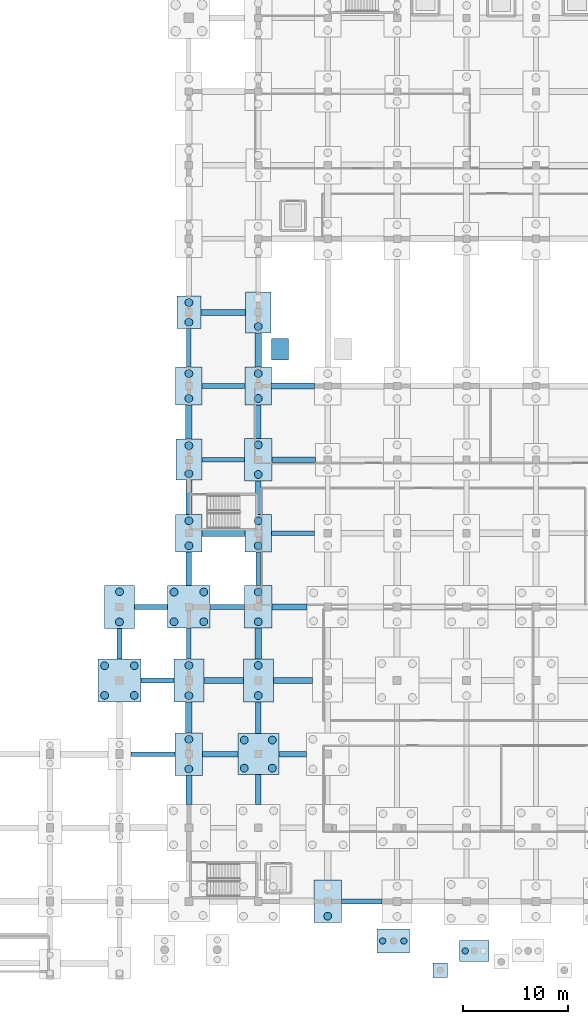
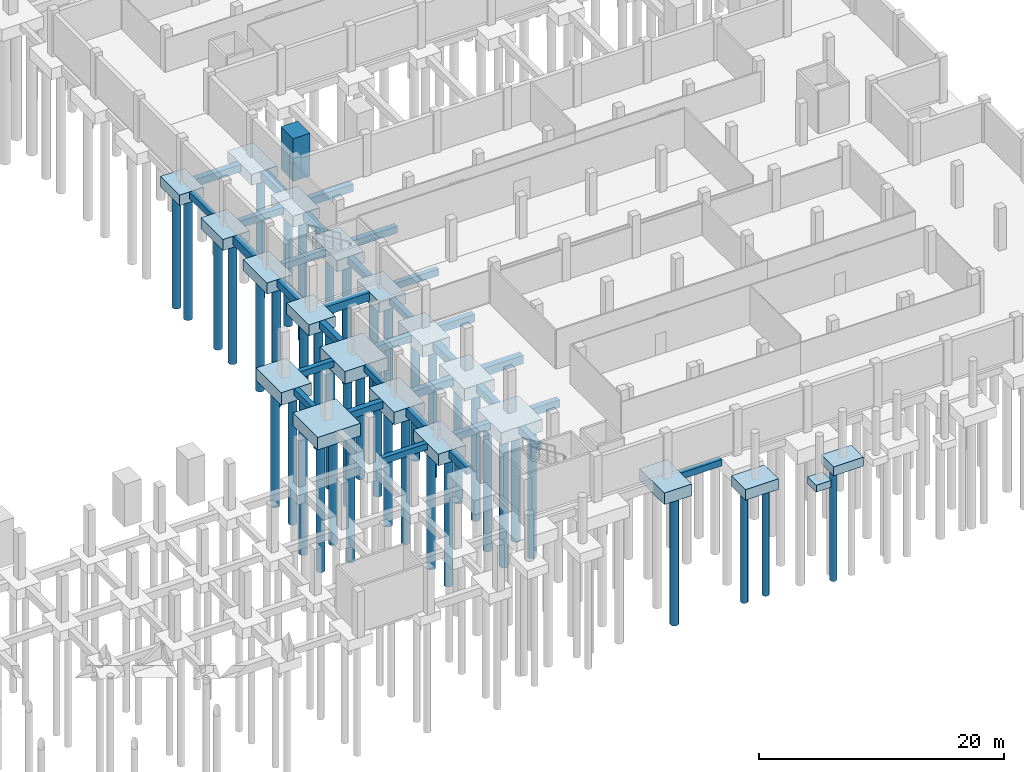
# One storey, part 3 of 27: 53 footings, 41 piles.
"""IFC4 building model written with IfcOpenShell, lengths in metres."""

from ifc_helpers import new_model, si_unit, direction, frame, origin, origin_2d, place, context, subcontext, project, spatial, rectangle, circle, extrude, material, material_profile, profile_set, type_object, element, save


model = new_model("IFC4")

# Units and contexts
model_context = context("Model", 3, precision=1e-05, world=origin(), true_north=direction((0.0, 1.0)))
body_context = subcontext(model_context, "Body", "Model", "MODEL_VIEW")
ifc_project = project(units=[si_unit("LENGTHUNIT", "METRE"), si_unit("AREAUNIT", "SQUARE_METRE"), si_unit("VOLUMEUNIT", "CUBIC_METRE"), si_unit("PLANEANGLEUNIT", "RADIAN"), si_unit("MASSUNIT", "GRAM", prefix="KILO")], contexts=[model_context])

# Site, building, storey
site_placement = place(None, origin())
site = spatial("IfcSite", under=ifc_project, at=site_placement, CompositionType="ELEMENT")
building_placement = place(site_placement, origin())
building = spatial("IfcBuilding", under=site, at=building_placement, Name="Ciguamira Faculty of Natural Sciences", CompositionType="ELEMENT")
storey_placement = place(building_placement, frame((0.0, 0.0, -4.199951171875)))
storey = spatial("IfcBuildingStorey", under=building, at=storey_placement, Name="B1", CompositionType="ELEMENT", Elevation=-4.199951171875)

# Piles
ifc_material = material(Name="Concrete C35/45", Category="concrete")
ifc_material_profile_1 = material_profile(ifc_material, circle(Radius=0.300048828125, at=origin_2d()), Name="PILE-BORED-600")
ifc_profile_set_1 = profile_set([ifc_material_profile_1], Name="Concrete C35/45")
pile_type_1 = type_object("IfcPileType", Name="BoredPile_BP-01_600", PredefinedType="BORED", material=ifc_profile_set_1)
for number, where, z_axis, x_axis, name in (
    (1, (75.723388671875, 6.236572265625, -1.35009765625), (0.0, 0.0, -1.0), (1.0, 0.0, 0.0), "B1 bored pile 218-1"),
    (2, (77.743408203125, 6.236572265625, -1.35009765625), (0.0, 0.0, -1.0), (1.0, 0.0, 0.0), "B1 bored pile 218-2"),
):
    element("IfcPile", number, at=place(storey_placement, frame(where, z_axis=z_axis, x_axis=x_axis)), inside=storey, type_object=pile_type_1, Name=name, PredefinedType="BORED", context=body_context, shape_type="SweptSolid", body=[
        extrude(circle(Radius=0.300048828125, at=origin_2d()), origin(), (0.0, 0.0, 1.0), 11.050048828125),
    ])
pile_1_placement = place(storey_placement, frame((83.5732421875, 5.291259765625, -1.199951171875), z_axis=(0.0, 0.0, -1.0), x_axis=(1.0, 0.0, 0.0)))
element("IfcPile", 3, at=pile_1_placement, inside=storey, type_object=pile_type_1, Name="B1 bored pile 219-1", PredefinedType="BORED", context=body_context, shape_type="SweptSolid", body=[
    extrude(circle(Radius=0.300048828125, at=origin_2d()), origin(), (0.0, 0.0, 1.0), 11.199951171875),
])
ifc_material_profile_2 = material_profile(ifc_material, circle(Radius=0.375, at=origin_2d()), Name="PILE-BORED-750")
ifc_profile_set_2 = profile_set([ifc_material_profile_2], Name="Concrete C35/45")
pile_type_2 = type_object("IfcPileType", Name="BoredPile_BP-02_750", PredefinedType="BORED", material=ifc_profile_set_2)
for number, where, z_axis, x_axis, name in (
    (4, (49.2900390625, 29.590087890625, -1.550048828125), (0.0, 0.0, -1.0), (1.0, 0.0, 0.0), "B1 bored pile 032-1"),
    (5, (52.110107421875, 29.590087890625, -1.550048828125), (0.0, 0.0, -1.0), (1.0, 0.0, 0.0), "B1 bored pile 032-2"),
    (6, (49.2900390625, 32.409912109375, -1.550048828125), (0.0, 0.0, -1.0), (1.0, 0.0, 0.0), "B1 bored pile 032-3"),
    (7, (52.110107421875, 32.409912109375, -1.550048828125), (0.0, 0.0, -1.0), (1.0, 0.0, 0.0), "B1 bored pile 032-4"),
    (8, (50.699951171875, 36.56494140625, -1.550048828125), (0.0, 0.0, -1.0), (1.0, 0.0, 0.0), "B1 bored pile 033-1"),
    (9, (50.699951171875, 39.43505859375, -1.550048828125), (0.0, 0.0, -1.0), (1.0, 0.0, 0.0), "B1 bored pile 033-2"),
):
    element("IfcPile", number, at=place(storey_placement, frame(where, z_axis=z_axis, x_axis=x_axis)), inside=storey, type_object=pile_type_2, Name=name, PredefinedType="BORED", context=body_context, shape_type="SweptSolid", body=[
        extrude(circle(Radius=0.375, at=origin_2d()), origin(), (0.0, 0.0, 1.0), 12.64990234375),
    ])
for number, where, z_axis, x_axis, name in (
    (10, (57.300048828125, 22.590087890625, -1.449951171875), (0.0, 0.0, -1.0), (1.0, 0.0, 0.0), "B1 bored pile 036-1"),
    (11, (57.300048828125, 25.409912109375, -1.449951171875), (0.0, 0.0, -1.0), (1.0, 0.0, 0.0), "B1 bored pile 036-2"),
):
    element("IfcPile", number, at=place(storey_placement, frame(where, z_axis=z_axis, x_axis=x_axis)), inside=storey, type_object=pile_type_2, Name=name, PredefinedType="BORED", context=body_context, shape_type="SweptSolid", body=[
        extrude(circle(Radius=0.375, at=origin_2d()), origin(), (0.0, 0.0, 1.0), 12.75),
    ])
for number, where, z_axis, x_axis, name in (
    (12, (57.300048828125, 29.56494140625, -1.550048828125), (0.0, 0.0, -1.0), (1.0, 0.0, 0.0), "B1 bored pile 037-1"),
    (13, (57.300048828125, 32.43505859375, -1.550048828125), (0.0, 0.0, -1.0), (1.0, 0.0, 0.0), "B1 bored pile 037-2"),
    (14, (55.889892578125, 36.590087890625, -1.550048828125), (0.0, 0.0, -1.0), (1.0, 0.0, 0.0), "B1 bored pile 038-1"),
    (15, (58.7099609375, 36.590087890625, -1.550048828125), (0.0, 0.0, -1.0), (1.0, 0.0, 0.0), "B1 bored pile 038-2"),
    (16, (55.889892578125, 39.409912109375, -1.550048828125), (0.0, 0.0, -1.0), (1.0, 0.0, 0.0), "B1 bored pile 038-3"),
    (17, (58.7099609375, 39.409912109375, -1.550048828125), (0.0, 0.0, -1.0), (1.0, 0.0, 0.0), "B1 bored pile 038-4"),
):
    element("IfcPile", number, at=place(storey_placement, frame(where, z_axis=z_axis, x_axis=x_axis)), inside=storey, type_object=pile_type_2, Name=name, PredefinedType="BORED", context=body_context, shape_type="SweptSolid", body=[
        extrude(circle(Radius=0.375, at=origin_2d()), origin(), (0.0, 0.0, 1.0), 12.64990234375),
    ])
for number, where, z_axis, x_axis, name in (
    (18, (57.300048828125, 43.81494140625, -1.400146484375), (0.0, 0.0, -1.0), (1.0, 0.0, 0.0), "B1 bored pile 039-1"),
    (19, (57.300048828125, 46.18505859375, -1.400146484375), (0.0, 0.0, -1.0), (1.0, 0.0, 0.0), "B1 bored pile 039-2"),
    (20, (57.300048828125, 50.6650390625, -1.400146484375), (0.0, 0.0, -1.0), (1.0, 0.0, 0.0), "B1 bored pile 040-1"),
    (21, (57.300048828125, 53.3349609375, -1.400146484375), (0.0, 0.0, -1.0), (1.0, 0.0, 0.0), "B1 bored pile 040-2"),
    (22, (57.300048828125, 57.81494140625, -1.400146484375), (0.0, 0.0, -1.0), (1.0, 0.0, 0.0), "B1 bored pile 041-1"),
    (23, (57.300048828125, 60.18505859375, -1.400146484375), (0.0, 0.0, -1.0), (1.0, 0.0, 0.0), "B1 bored pile 041-2"),
):
    element("IfcPile", number, at=place(storey_placement, frame(where, z_axis=z_axis, x_axis=x_axis)), inside=storey, type_object=pile_type_2, Name=name, PredefinedType="BORED", context=body_context, shape_type="SweptSolid", body=[
        extrude(circle(Radius=0.375, at=origin_2d()), origin(), (0.0, 0.0, 1.0), 12.0),
    ])
for number, where, z_axis, x_axis, name in (
    (24, (57.300048828125, 65.06494140625, -1.35009765625), (0.0, 0.0, -1.0), (1.0, 0.0, 0.0), "B1 bored pile 042-1"),
    (25, (57.300048828125, 66.93505859375, -1.35009765625), (0.0, 0.0, -1.0), (1.0, 0.0, 0.0), "B1 bored pile 042-2"),
):
    element("IfcPile", number, at=place(storey_placement, frame(where, z_axis=z_axis, x_axis=x_axis)), inside=storey, type_object=pile_type_2, Name=name, PredefinedType="BORED", context=body_context, shape_type="SweptSolid", body=[
        extrude(circle(Radius=0.375, at=origin_2d()), origin(), (0.0, 0.0, 1.0), 12.050048828125),
    ])
for number, where, z_axis, x_axis, name in (
    (26, (62.56494140625, 22.6650390625, -1.5), (0.0, 0.0, -1.0), (1.0, 0.0, 0.0), "B1 bored pile 052-1"),
    (27, (65.235107421875, 22.6650390625, -1.5), (0.0, 0.0, -1.0), (1.0, 0.0, 0.0), "B1 bored pile 052-2"),
    (28, (62.56494140625, 25.3349609375, -1.5), (0.0, 0.0, -1.0), (1.0, 0.0, 0.0), "B1 bored pile 052-3"),
    (29, (65.235107421875, 25.3349609375, -1.5), (0.0, 0.0, -1.0), (1.0, 0.0, 0.0), "B1 bored pile 052-4"),
):
    element("IfcPile", number, at=place(storey_placement, frame(where, z_axis=z_axis, x_axis=x_axis)), inside=storey, type_object=pile_type_2, Name=name, PredefinedType="BORED", context=body_context, shape_type="SweptSolid", body=[
        extrude(circle(Radius=0.375, at=origin_2d()), origin(), (0.0, 0.0, 1.0), 12.699951171875),
    ])
for number, where, z_axis, x_axis, name in (
    (30, (63.89990234375, 29.56494140625, -1.550048828125), (0.0, 0.0, -1.0), (1.0, 0.0, 0.0), "B1 bored pile 053-1"),
    (31, (63.89990234375, 32.43505859375, -1.550048828125), (0.0, 0.0, -1.0), (1.0, 0.0, 0.0), "B1 bored pile 053-2"),
):
    element("IfcPile", number, at=place(storey_placement, frame(where, z_axis=z_axis, x_axis=x_axis)), inside=storey, type_object=pile_type_2, Name=name, PredefinedType="BORED", context=body_context, shape_type="SweptSolid", body=[
        extrude(circle(Radius=0.375, at=origin_2d()), origin(), (0.0, 0.0, 1.0), 12.64990234375),
    ])
for number, where, z_axis, x_axis, name in (
    (32, (63.89990234375, 36.590087890625, -1.449951171875), (0.0, 0.0, -1.0), (1.0, 0.0, 0.0), "B1 bored pile 054-1"),
    (33, (63.89990234375, 39.409912109375, -1.449951171875), (0.0, 0.0, -1.0), (1.0, 0.0, 0.0), "B1 bored pile 054-2"),
):
    element("IfcPile", number, at=place(storey_placement, frame(where, z_axis=z_axis, x_axis=x_axis)), inside=storey, type_object=pile_type_2, Name=name, PredefinedType="BORED", context=body_context, shape_type="SweptSolid", body=[
        extrude(circle(Radius=0.375, at=origin_2d()), origin(), (0.0, 0.0, 1.0), 12.75),
    ])
for number, where, z_axis, x_axis, name in (
    (34, (63.89990234375, 43.81494140625, -1.400146484375), (0.0, 0.0, -1.0), (1.0, 0.0, 0.0), "B1 bored pile 055-1"),
    (35, (63.89990234375, 46.18505859375, -1.400146484375), (0.0, 0.0, -1.0), (1.0, 0.0, 0.0), "B1 bored pile 055-2"),
):
    element("IfcPile", number, at=place(storey_placement, frame(where, z_axis=z_axis, x_axis=x_axis)), inside=storey, type_object=pile_type_2, Name=name, PredefinedType="BORED", context=body_context, shape_type="SweptSolid", body=[
        extrude(circle(Radius=0.375, at=origin_2d()), origin(), (0.0, 0.0, 1.0), 12.0),
    ])
for number, where, z_axis, x_axis, name in (
    (36, (63.89990234375, 50.590087890625, -1.449951171875), (0.0, 0.0, -1.0), (1.0, 0.0, 0.0), "B1 bored pile 056-1"),
    (37, (63.89990234375, 53.409912109375, -1.449951171875), (0.0, 0.0, -1.0), (1.0, 0.0, 0.0), "B1 bored pile 056-2"),
):
    element("IfcPile", number, at=place(storey_placement, frame(where, z_axis=z_axis, x_axis=x_axis)), inside=storey, type_object=pile_type_2, Name=name, PredefinedType="BORED", context=body_context, shape_type="SweptSolid", body=[
        extrude(circle(Radius=0.375, at=origin_2d()), origin(), (0.0, 0.0, 1.0), 11.949951171875),
    ])
for number, where, z_axis, x_axis, name in (
    (38, (63.89990234375, 57.81494140625, -1.400146484375), (0.0, 0.0, -1.0), (1.0, 0.0, 0.0), "B1 bored pile 057-1"),
    (39, (63.89990234375, 60.18505859375, -1.400146484375), (0.0, 0.0, -1.0), (1.0, 0.0, 0.0), "B1 bored pile 057-2"),
    (40, (63.89990234375, 64.6650390625, -1.400146484375), (0.0, 0.0, -1.0), (1.0, 0.0, 0.0), "B1 bored pile 058-1"),
):
    element("IfcPile", number, at=place(storey_placement, frame(where, z_axis=z_axis, x_axis=x_axis)), inside=storey, type_object=pile_type_2, Name=name, PredefinedType="BORED", context=body_context, shape_type="SweptSolid", body=[
        extrude(circle(Radius=0.375, at=origin_2d()), origin(), (0.0, 0.0, 1.0), 12.0),
    ])
pile_2_placement = place(storey_placement, frame((70.5, 8.590087890625, -1.449951171875), z_axis=(0.0, 0.0, -1.0), x_axis=(1.0, 0.0, 0.0)))
element("IfcPile", 41, at=pile_2_placement, inside=storey, type_object=pile_type_2, Name="B1 bored pile 066-1", PredefinedType="BORED", context=body_context, shape_type="SweptSolid", body=[
    extrude(circle(Radius=0.375, at=origin_2d()), origin(), (0.0, 0.0, 1.0), 12.75),
])

# Footings
ifc_material_profile_3 = material_profile(ifc_material, rectangle(XDim=0.449951171875, YDim=0.64990234375, at=origin_2d()), Name="RC-FB-450X650")
ifc_profile_set_3 = profile_set([ifc_material_profile_3], Name="Concrete C35/45")
footing_type_1 = type_object("IfcFootingType", Name="FootingBeam_FB-01_450x650", PredefinedType="FOOTING_BEAM", material=ifc_profile_set_3)
footing_1_placement = place(storey_placement, frame((71.800048828125, 10.0, -0.72509765625), z_axis=(1.0, 0.0, 0.0), x_axis=(0.0, 1.0, 0.0)))
element("IfcFooting", 42, at=footing_1_placement, inside=storey, type_object=footing_type_1, Name="B1 ground tie beam 0025", PredefinedType="FOOTING_BEAM", context=body_context, shape_type="SweptSolid", body=[
    extrude(rectangle(XDim=0.449951171875, YDim=0.64990234375, at=origin_2d()), origin(), (0.0, 0.0, 1.0), 3.875),
])
footing_2_placement = place(storey_placement, frame((51.77490234375, 24.0, -0.72509765625), z_axis=(1.0, 0.0, 0.0), x_axis=(0.0, 1.0, 0.0)))
element("IfcFooting", 43, at=footing_2_placement, inside=storey, type_object=footing_type_1, Name="B1 ground tie beam 0065", PredefinedType="FOOTING_BEAM", context=body_context, shape_type="SweptSolid", body=[
    extrude(rectangle(XDim=0.449951171875, YDim=0.64990234375, at=origin_2d()), origin(), (0.0, 0.0, 1.0), 4.22509765625),
])
footing_3_placement = place(storey_placement, frame((52.125, 38.0, -0.72509765625), z_axis=(1.0, 0.0, 0.0), x_axis=(0.0, 1.0, 0.0)))
element("IfcFooting", 44, at=footing_3_placement, inside=storey, type_object=footing_type_1, Name="B1 ground tie beam 0089", PredefinedType="FOOTING_BEAM", context=body_context, shape_type="SweptSolid", body=[
    extrude(rectangle(XDim=0.449951171875, YDim=0.64990234375, at=origin_2d()), origin(), (0.0, 0.0, 1.0), 3.14990234375),
])
footing_4_placement = place(storey_placement, frame((65.14990234375, 45.0, -0.72509765625), z_axis=(1.0, 0.0, 0.0), x_axis=(0.0, 1.0, 0.0)))
element("IfcFooting", 45, at=footing_4_placement, inside=storey, type_object=footing_type_1, Name="B1 ground tie beam 0101", PredefinedType="FOOTING_BEAM", context=body_context, shape_type="SweptSolid", body=[
    extrude(rectangle(XDim=0.449951171875, YDim=0.64990234375, at=origin_2d()), origin(), (0.0, 0.0, 1.0), 4.10009765625),
])
footing_5_placement = place(storey_placement, frame((58.52490234375, 52.0, -0.72509765625), z_axis=(1.0, 0.0, 0.0), x_axis=(0.0, 1.0, 0.0)))
element("IfcFooting", 46, at=footing_5_placement, inside=storey, type_object=footing_type_1, Name="B1 ground tie beam 0109", PredefinedType="FOOTING_BEAM", context=body_context, shape_type="SweptSolid", body=[
    extrude(rectangle(XDim=0.449951171875, YDim=0.64990234375, at=origin_2d()), origin(), (0.0, 0.0, 1.0), 4.0751953125),
])
for number, where, z_axis, x_axis, name in (
    (47, (50.699951171875, 33.02490234375, -0.72509765625), (0.0, 1.0, 0.0), (-1.0, 0.0, 0.0), "B1 ground tie beam 0217"),
    (48, (57.300048828125, 33.050048828125, -0.72509765625), (0.0, 1.0, 0.0), (-1.0, 0.0, 0.0), "B1 ground tie beam 0221"),
):
    element("IfcFooting", number, at=place(storey_placement, frame(where, z_axis=z_axis, x_axis=x_axis)), inside=storey, type_object=footing_type_1, Name=name, PredefinedType="FOOTING_BEAM", context=body_context, shape_type="SweptSolid", body=[
        extrude(rectangle(XDim=0.449951171875, YDim=0.64990234375, at=origin_2d()), origin(), (0.0, 0.0, 1.0), 2.925048828125),
    ])
footing_6_placement = place(storey_placement, frame((57.300048828125, 60.800048828125, -0.72509765625), z_axis=(0.0, 1.0, 0.0), x_axis=(-1.0, 0.0, 0.0)))
element("IfcFooting", 49, at=footing_6_placement, inside=storey, type_object=footing_type_1, Name="B1 ground tie beam 0225", PredefinedType="FOOTING_BEAM", context=body_context, shape_type="SweptSolid", body=[
    extrude(rectangle(XDim=0.449951171875, YDim=0.64990234375, at=origin_2d()), origin(), (0.0, 0.0, 1.0), 3.64990234375),
])
footing_7_placement = place(storey_placement, frame((63.89990234375, 40.02490234375, -0.72509765625), z_axis=(0.0, 1.0, 0.0), x_axis=(-1.0, 0.0, 0.0)))
element("IfcFooting", 50, at=footing_7_placement, inside=storey, type_object=footing_type_1, Name="B1 ground tie beam 0237", PredefinedType="FOOTING_BEAM", context=body_context, shape_type="SweptSolid", body=[
    extrude(rectangle(XDim=0.449951171875, YDim=0.64990234375, at=origin_2d()), origin(), (0.0, 0.0, 1.0), 3.175048828125),
])
ifc_material_profile_4 = material_profile(ifc_material, rectangle(XDim=0.5, YDim=0.699951171875, at=origin_2d()), Name="RC-FB-500X700")
ifc_profile_set_4 = profile_set([ifc_material_profile_4], Name="Concrete C35/45")
footing_type_2 = type_object("IfcFootingType", Name="FootingBeam_FB-02_500x700", PredefinedType="FOOTING_BEAM", material=ifc_profile_set_4)
footing_8_placement = place(storey_placement, frame((58.60009765625, 24.0, -0.75), z_axis=(1.0, 0.0, 0.0), x_axis=(0.0, 1.0, 0.0)))
element("IfcFooting", 51, at=footing_8_placement, inside=storey, type_object=footing_type_2, Name="B1 ground tie beam 0066", PredefinedType="FOOTING_BEAM", context=body_context, shape_type="SweptSolid", body=[
    extrude(rectangle(XDim=0.5, YDim=0.699951171875, at=origin_2d()), origin(), (0.0, 0.0, 1.0), 3.349853515625),
])
footing_9_placement = place(storey_placement, frame((52.72509765625, 31.0, -0.75), z_axis=(1.0, 0.0, 0.0), x_axis=(0.0, 1.0, 0.0)))
element("IfcFooting", 52, at=footing_9_placement, inside=storey, type_object=footing_type_2, Name="B1 ground tie beam 0078", PredefinedType="FOOTING_BEAM", context=body_context, shape_type="SweptSolid", body=[
    extrude(rectangle(XDim=0.5, YDim=0.699951171875, at=origin_2d()), origin(), (0.0, 0.0, 1.0), 3.14990234375),
])
footing_10_placement = place(storey_placement, frame((59.324951171875, 38.0, -0.75), z_axis=(1.0, 0.0, 0.0), x_axis=(0.0, 1.0, 0.0)))
element("IfcFooting", 53, at=footing_10_placement, inside=storey, type_object=footing_type_2, Name="B1 ground tie beam 0090", PredefinedType="FOOTING_BEAM", context=body_context, shape_type="SweptSolid", body=[
    extrude(rectangle(XDim=0.5, YDim=0.699951171875, at=origin_2d()), origin(), (0.0, 0.0, 1.0), 3.275146484375),
])
footing_11_placement = place(storey_placement, frame((65.199951171875, 52.0, -0.75), z_axis=(1.0, 0.0, 0.0), x_axis=(0.0, 1.0, 0.0)))
element("IfcFooting", 54, at=footing_11_placement, inside=storey, type_object=footing_type_2, Name="B1 ground tie beam 0110", PredefinedType="FOOTING_BEAM", context=body_context, shape_type="SweptSolid", body=[
    extrude(rectangle(XDim=0.5, YDim=0.699951171875, at=origin_2d()), origin(), (0.0, 0.0, 1.0), 4.150146484375),
])
footing_12_placement = place(storey_placement, frame((58.550048828125, 59.0, -0.75), z_axis=(1.0, 0.0, 0.0), x_axis=(0.0, 1.0, 0.0)))
element("IfcFooting", 55, at=footing_12_placement, inside=storey, type_object=footing_type_2, Name="B1 ground tie beam 0118", PredefinedType="FOOTING_BEAM", context=body_context, shape_type="SweptSolid", body=[
    extrude(rectangle(XDim=0.5, YDim=0.699951171875, at=origin_2d()), origin(), (0.0, 0.0, 1.0), 4.099853515625),
])
footing_13_placement = place(storey_placement, frame((57.300048828125, 40.02490234375, -0.75), z_axis=(0.0, 1.0, 0.0), x_axis=(-1.0, 0.0, 0.0)))
element("IfcFooting", 56, at=footing_13_placement, inside=storey, type_object=footing_type_2, Name="B1 ground tie beam 0222", PredefinedType="FOOTING_BEAM", context=body_context, shape_type="SweptSolid", body=[
    extrude(rectangle(XDim=0.5, YDim=0.699951171875, at=origin_2d()), origin(), (0.0, 0.0, 1.0), 3.175048828125),
])
footing_14_placement = place(storey_placement, frame((63.89990234375, 19.22509765625, -0.75), z_axis=(0.0, 1.0, 0.0), x_axis=(-1.0, 0.0, 0.0)))
element("IfcFooting", 57, at=footing_14_placement, inside=storey, type_object=footing_type_2, Name="B1 ground tie beam 0234", PredefinedType="FOOTING_BEAM", context=body_context, shape_type="SweptSolid", body=[
    extrude(rectangle(XDim=0.5, YDim=0.699951171875, at=origin_2d()), origin(), (0.0, 0.0, 1.0), 2.824951171875),
])
footing_15_placement = place(storey_placement, frame((63.89990234375, 46.800048828125, -0.75), z_axis=(0.0, 1.0, 0.0), x_axis=(-1.0, 0.0, 0.0)))
element("IfcFooting", 58, at=footing_15_placement, inside=storey, type_object=footing_type_2, Name="B1 ground tie beam 0238", PredefinedType="FOOTING_BEAM", context=body_context, shape_type="SweptSolid", body=[
    extrude(rectangle(XDim=0.5, YDim=0.699951171875, at=origin_2d()), origin(), (0.0, 0.0, 1.0), 3.175048828125),
])
ifc_material_profile_5 = material_profile(ifc_material, rectangle(XDim=0.550048828125, YDim=0.75, at=origin_2d()), Name="RC-FB-550X750")
ifc_profile_set_5 = profile_set([ifc_material_profile_5], Name="Concrete C35/45")
footing_type_3 = type_object("IfcFootingType", Name="FootingBeam_FB-03_550x750", PredefinedType="FOOTING_BEAM", material=ifc_profile_set_5)
footing_16_placement = place(storey_placement, frame((65.85009765625, 24.0, -0.775146484375), z_axis=(1.0, 0.0, 0.0), x_axis=(0.0, 1.0, 0.0)))
element("IfcFooting", 59, at=footing_16_placement, inside=storey, type_object=footing_type_3, Name="B1 ground tie beam 0067", PredefinedType="FOOTING_BEAM", context=body_context, shape_type="SweptSolid", body=[
    extrude(rectangle(XDim=0.550048828125, YDim=0.75, at=origin_2d()), origin(), (0.0, 0.0, 1.0), 2.625),
])
footing_17_placement = place(storey_placement, frame((58.72509765625, 31.0, -0.775146484375), z_axis=(1.0, 0.0, 0.0), x_axis=(0.0, 1.0, 0.0)))
element("IfcFooting", 60, at=footing_17_placement, inside=storey, type_object=footing_type_3, Name="B1 ground tie beam 0079", PredefinedType="FOOTING_BEAM", context=body_context, shape_type="SweptSolid", body=[
    extrude(rectangle(XDim=0.550048828125, YDim=0.75, at=origin_2d()), origin(), (0.0, 0.0, 1.0), 3.75),
])
footing_18_placement = place(storey_placement, frame((65.199951171875, 38.0, -0.775146484375), z_axis=(1.0, 0.0, 0.0), x_axis=(0.0, 1.0, 0.0)))
element("IfcFooting", 61, at=footing_18_placement, inside=storey, type_object=footing_type_3, Name="B1 ground tie beam 0091", PredefinedType="FOOTING_BEAM", context=body_context, shape_type="SweptSolid", body=[
    extrude(rectangle(XDim=0.550048828125, YDim=0.75, at=origin_2d()), origin(), (0.0, 0.0, 1.0), 3.35009765625),
])
footing_19_placement = place(storey_placement, frame((65.14990234375, 59.0, -0.775146484375), z_axis=(1.0, 0.0, 0.0), x_axis=(0.0, 1.0, 0.0)))
element("IfcFooting", 62, at=footing_19_placement, inside=storey, type_object=footing_type_3, Name="B1 ground tie beam 0119", PredefinedType="FOOTING_BEAM", context=body_context, shape_type="SweptSolid", body=[
    extrude(rectangle(XDim=0.550048828125, YDim=0.75, at=origin_2d()), origin(), (0.0, 0.0, 1.0), 4.10009765625),
])
footing_20_placement = place(storey_placement, frame((58.449951171875, 66.0, -0.775146484375), z_axis=(1.0, 0.0, 0.0), x_axis=(0.0, 1.0, 0.0)))
element("IfcFooting", 63, at=footing_20_placement, inside=storey, type_object=footing_type_3, Name="B1 ground tie beam 0127", PredefinedType="FOOTING_BEAM", context=body_context, shape_type="SweptSolid", body=[
    extrude(rectangle(XDim=0.550048828125, YDim=0.75, at=origin_2d()), origin(), (0.0, 0.0, 1.0), 4.22509765625),
])
footing_21_placement = place(storey_placement, frame((57.300048828125, 19.22509765625, -0.775146484375), z_axis=(0.0, 1.0, 0.0), x_axis=(-1.0, 0.0, 0.0)))
element("IfcFooting", 64, at=footing_21_placement, inside=storey, type_object=footing_type_3, Name="B1 ground tie beam 0219", PredefinedType="FOOTING_BEAM", context=body_context, shape_type="SweptSolid", body=[
    extrude(rectangle(XDim=0.550048828125, YDim=0.75, at=origin_2d()), origin(), (0.0, 0.0, 1.0), 2.75),
])
footing_22_placement = place(storey_placement, frame((57.300048828125, 46.800048828125, -0.775146484375), z_axis=(0.0, 1.0, 0.0), x_axis=(-1.0, 0.0, 0.0)))
element("IfcFooting", 65, at=footing_22_placement, inside=storey, type_object=footing_type_3, Name="B1 ground tie beam 0223", PredefinedType="FOOTING_BEAM", context=body_context, shape_type="SweptSolid", body=[
    extrude(rectangle(XDim=0.550048828125, YDim=0.75, at=origin_2d()), origin(), (0.0, 0.0, 1.0), 3.25),
])
footing_23_placement = place(storey_placement, frame((63.89990234375, 25.949951171875, -0.775146484375), z_axis=(0.0, 1.0, 0.0), x_axis=(-1.0, 0.0, 0.0)))
element("IfcFooting", 66, at=footing_23_placement, inside=storey, type_object=footing_type_3, Name="B1 ground tie beam 0235", PredefinedType="FOOTING_BEAM", context=body_context, shape_type="SweptSolid", body=[
    extrude(rectangle(XDim=0.550048828125, YDim=0.75, at=origin_2d()), origin(), (0.0, 0.0, 1.0), 3.0),
])
footing_24_placement = place(storey_placement, frame((63.89990234375, 54.02490234375, -0.775146484375), z_axis=(0.0, 1.0, 0.0), x_axis=(-1.0, 0.0, 0.0)))
element("IfcFooting", 67, at=footing_24_placement, inside=storey, type_object=footing_type_3, Name="B1 ground tie beam 0239", PredefinedType="FOOTING_BEAM", context=body_context, shape_type="SweptSolid", body=[
    extrude(rectangle(XDim=0.550048828125, YDim=0.75, at=origin_2d()), origin(), (0.0, 0.0, 1.0), 3.175048828125),
])
ifc_material_profile_6 = material_profile(ifc_material, rectangle(XDim=0.60009765625, YDim=0.85009765625, at=origin_2d()), Name="RC-FB-600X850")
ifc_profile_set_6 = profile_set([ifc_material_profile_6], Name="Concrete C35/45")
footing_type_4 = type_object("IfcFootingType", Name="FootingBeam_FB-04_600x850", PredefinedType="FOOTING_BEAM", material=ifc_profile_set_6)
footing_25_placement = place(storey_placement, frame((65.324951171875, 31.0, -0.824951171875), z_axis=(1.0, 0.0, 0.0), x_axis=(0.0, 1.0, 0.0)))
element("IfcFooting", 68, at=footing_25_placement, inside=storey, type_object=footing_type_4, Name="B1 ground tie beam 0080", PredefinedType="FOOTING_BEAM", context=body_context, shape_type="SweptSolid", body=[
    extrude(rectangle(XDim=0.60009765625, YDim=0.85009765625, at=origin_2d()), origin(), (0.0, 0.0, 1.0), 3.75),
])
footing_26_placement = place(storey_placement, frame((58.550048828125, 45.0, -0.824951171875), z_axis=(1.0, 0.0, 0.0), x_axis=(0.0, 1.0, 0.0)))
element("IfcFooting", 69, at=footing_26_placement, inside=storey, type_object=footing_type_4, Name="B1 ground tie beam 0100", PredefinedType="FOOTING_BEAM", context=body_context, shape_type="SweptSolid", body=[
    extrude(rectangle(XDim=0.60009765625, YDim=0.85009765625, at=origin_2d()), origin(), (0.0, 0.0, 1.0), 4.099853515625),
])
footing_27_placement = place(storey_placement, frame((57.300048828125, 26.02490234375, -0.824951171875), z_axis=(0.0, 1.0, 0.0), x_axis=(-1.0, 0.0, 0.0)))
element("IfcFooting", 70, at=footing_27_placement, inside=storey, type_object=footing_type_4, Name="B1 ground tie beam 0220", PredefinedType="FOOTING_BEAM", context=body_context, shape_type="SweptSolid", body=[
    extrude(rectangle(XDim=0.60009765625, YDim=0.85009765625, at=origin_2d()), origin(), (0.0, 0.0, 1.0), 2.925048828125),
])
footing_28_placement = place(storey_placement, frame((57.300048828125, 53.949951171875, -0.824951171875), z_axis=(0.0, 1.0, 0.0), x_axis=(-1.0, 0.0, 0.0)))
element("IfcFooting", 71, at=footing_28_placement, inside=storey, type_object=footing_type_4, Name="B1 ground tie beam 0224", PredefinedType="FOOTING_BEAM", context=body_context, shape_type="SweptSolid", body=[
    extrude(rectangle(XDim=0.60009765625, YDim=0.85009765625, at=origin_2d()), origin(), (0.0, 0.0, 1.0), 3.25),
])
footing_29_placement = place(storey_placement, frame((63.89990234375, 33.050048828125, -0.824951171875), z_axis=(0.0, 1.0, 0.0), x_axis=(-1.0, 0.0, 0.0)))
element("IfcFooting", 72, at=footing_29_placement, inside=storey, type_object=footing_type_4, Name="B1 ground tie beam 0236", PredefinedType="FOOTING_BEAM", context=body_context, shape_type="SweptSolid", body=[
    extrude(rectangle(XDim=0.60009765625, YDim=0.85009765625, at=origin_2d()), origin(), (0.0, 0.0, 1.0), 2.925048828125),
])
footing_30_placement = place(storey_placement, frame((63.89990234375, 60.800048828125, -0.824951171875), z_axis=(0.0, 1.0, 0.0), x_axis=(-1.0, 0.0, 0.0)))
element("IfcFooting", 73, at=footing_30_placement, inside=storey, type_object=footing_type_4, Name="B1 ground tie beam 0240", PredefinedType="FOOTING_BEAM", context=body_context, shape_type="SweptSolid", body=[
    extrude(rectangle(XDim=0.60009765625, YDim=0.85009765625, at=origin_2d()), origin(), (0.0, 0.0, 1.0), 3.25),
])
footing_type_5 = type_object("IfcFootingType", Name="PadFooting_RFP-PV_1400x1400x700", PredefinedType="PAD_FOOTING", material=ifc_material)
footing_31_placement = place(storey_placement, frame((81.199951171875, 3.449951171875, -1.10009765625), z_axis=(0.0, 0.0, 1.0), x_axis=(1.0, 0.0, 0.0)))
element("IfcFooting", 74, at=footing_31_placement, inside=storey, type_object=footing_type_5, Name="B1 exterior slab pier pad footing ARCPAD1", PredefinedType="PAD_FOOTING", context=body_context, shape_type="SweptSolid", body=[
    extrude(rectangle(XDim=1.39990234375, YDim=1.39990234375, at=origin_2d()), origin(), (0.0, 0.0, 1.0), 0.699951171875),
])
footing_type_6 = type_object("IfcFootingType", Name="PileCap_PC-01_200x280x90", PredefinedType="PILE_CAP", material=ifc_material)
footing_32_placement = place(storey_placement, frame((84.433349609375, 5.291259765625, -1.300048828125), z_axis=(0.0, 0.0, 1.0), x_axis=(0.0, 1.0, 0.0)))
element("IfcFooting", 75, at=footing_32_placement, inside=storey, type_object=footing_type_6, Name="B1 pile cap PC-01 at (84.4, 5.3)", PredefinedType="PILE_CAP", context=body_context, shape_type="SweptSolid", body=[
    extrude(rectangle(XDim=2.0, YDim=2.800048828125, at=origin_2d()), origin(), (0.0, 0.0, 1.0), 0.89990234375),
])
footing_type_7 = type_object("IfcFootingType", Name="PileCap_PC-03_230x310x105", PredefinedType="PILE_CAP", material=ifc_material)
for number, where, z_axis, x_axis, name in (
    (76, (57.300048828125, 66.0, -1.4501953125), (0.0, 0.0, 1.0), (1.0, 0.0, 0.0), "B1 pile cap PC-03 at (57.3, 66.0)"),
    (77, (76.7333984375, 6.236572265625, -1.4501953125), (0.0, 0.0, 1.0), (0.0, 1.0, 0.0), "B1 pile cap PC-03 at (76.7, 6.2)"),
):
    element("IfcFooting", number, at=place(storey_placement, frame(where, z_axis=z_axis, x_axis=x_axis)), inside=storey, type_object=footing_type_7, Name=name, PredefinedType="PILE_CAP", context=body_context, shape_type="SweptSolid", body=[
        extrude(rectangle(XDim=2.300048828125, YDim=3.10009765625, at=origin_2d()), origin(), (0.0, 0.0, 1.0), 1.050048828125),
    ])
footing_type_8 = type_object("IfcFootingType", Name="PileCap_PC-04_245x390x110", PredefinedType="PILE_CAP", material=ifc_material)
for number, where, z_axis, x_axis, name in (
    (78, (57.300048828125, 52.0, -1.5), (0.0, 0.0, 1.0), (1.0, 0.0, 0.0), "B1 pile cap PC-04 at (57.3, 52.0)"),
    (79, (63.89990234375, 66.0, -1.5), (0.0, 0.0, 1.0), (1.0, 0.0, 0.0), "B1 pile cap PC-04 at (63.9, 66.0)"),
):
    element("IfcFooting", number, at=place(storey_placement, frame(where, z_axis=z_axis, x_axis=x_axis)), inside=storey, type_object=footing_type_8, Name=name, PredefinedType="PILE_CAP", context=body_context, shape_type="SweptSolid", body=[
        extrude(rectangle(XDim=2.449951171875, YDim=3.89990234375, at=origin_2d()), origin(), (0.0, 0.0, 1.0), 1.10009765625),
    ])
footing_type_9 = type_object("IfcFootingType", Name="PileCap_PC-05_260x405x115", PredefinedType="PILE_CAP", material=ifc_material)
for number, where, z_axis, x_axis, name in (
    (80, (57.300048828125, 24.0, -1.550048828125), (0.0, 0.0, 1.0), (1.0, 0.0, 0.0), "B1 pile cap PC-05 at (57.3, 24.0)"),
    (81, (63.89990234375, 38.0, -1.550048828125), (0.0, 0.0, 1.0), (1.0, 0.0, 0.0), "B1 pile cap PC-05 at (63.9, 38.0)"),
    (82, (63.89990234375, 52.0, -1.550048828125), (0.0, 0.0, 1.0), (1.0, 0.0, 0.0), "B1 pile cap PC-05 at (63.9, 52.0)"),
    (83, (70.5, 10.0, -1.550048828125), (0.0, 0.0, 1.0), (1.0, 0.0, 0.0), "B1 pile cap PC-05 at (70.5, 10.0)"),
):
    element("IfcFooting", number, at=place(storey_placement, frame(where, z_axis=z_axis, x_axis=x_axis)), inside=storey, type_object=footing_type_9, Name=name, PredefinedType="PILE_CAP", context=body_context, shape_type="SweptSolid", body=[
        extrude(rectangle(XDim=2.60009765625, YDim=4.050048828125, at=origin_2d()), origin(), (0.0, 0.0, 1.0), 1.14990234375),
    ])
footing_type_10 = type_object("IfcFootingType", Name="PileCap_PC-06_390x390x120", PredefinedType="PILE_CAP", material=ifc_material)
footing_33_placement = place(storey_placement, frame((63.89990234375, 24.0, -1.60009765625), z_axis=(0.0, 0.0, 1.0), x_axis=(1.0, 0.0, 0.0)))
element("IfcFooting", 84, at=footing_33_placement, inside=storey, type_object=footing_type_10, Name="B1 pile cap PC-06 at (63.9, 24.0)", PredefinedType="PILE_CAP", context=body_context, shape_type="SweptSolid", body=[
    extrude(rectangle(XDim=3.89990234375, YDim=3.89990234375, at=origin_2d()), origin(), (0.0, 0.0, 1.0), 1.199951171875),
])
footing_type_11 = type_object("IfcFootingType", Name="PileCap_PC-07_405x405x125", PredefinedType="PILE_CAP", material=ifc_material)
for number, where, z_axis, x_axis, name in (
    (85, (50.699951171875, 31.0, -1.650146484375), (0.0, 0.0, 1.0), (1.0, 0.0, 0.0), "B1 pile cap PC-07 at (50.7, 31.0)"),
    (86, (57.300048828125, 38.0, -1.650146484375), (0.0, 0.0, 1.0), (1.0, 0.0, 0.0), "B1 pile cap PC-07 at (57.3, 38.0)"),
):
    element("IfcFooting", number, at=place(storey_placement, frame(where, z_axis=z_axis, x_axis=x_axis)), inside=storey, type_object=footing_type_11, Name=name, PredefinedType="PILE_CAP", context=body_context, shape_type="SweptSolid", body=[
        extrude(rectangle(XDim=4.050048828125, YDim=4.050048828125, at=origin_2d()), origin(), (0.0, 0.0, 1.0), 1.25),
    ])
footing_type_12 = type_object("IfcFootingType", Name="PileCap_PC-12_250x360x110", PredefinedType="PILE_CAP", material=ifc_material)
for number, where, z_axis, x_axis, name in (
    (87, (57.300048828125, 45.0, -1.5), (0.0, 0.0, 1.0), (1.0, 0.0, 0.0), "B1 pile cap PC-12 at (57.3, 45.0)"),
    (88, (57.300048828125, 59.0, -1.5), (0.0, 0.0, 1.0), (1.0, 0.0, 0.0), "B1 pile cap PC-12 at (57.3, 59.0)"),
    (89, (63.89990234375, 45.0, -1.5), (0.0, 0.0, 1.0), (1.0, 0.0, 0.0), "B1 pile cap PC-12 at (63.9, 45.0)"),
    (90, (63.89990234375, 59.0, -1.5), (0.0, 0.0, 1.0), (1.0, 0.0, 0.0), "B1 pile cap PC-12 at (63.9, 59.0)"),
):
    element("IfcFooting", number, at=place(storey_placement, frame(where, z_axis=z_axis, x_axis=x_axis)), inside=storey, type_object=footing_type_12, Name=name, PredefinedType="PILE_CAP", context=body_context, shape_type="SweptSolid", body=[
        extrude(rectangle(XDim=2.5, YDim=3.60009765625, at=origin_2d()), origin(), (0.0, 0.0, 1.0), 1.10009765625),
    ])
footing_type_13 = type_object("IfcFootingType", Name="PileCap_PC-14_285x410x125", PredefinedType="PILE_CAP", material=ifc_material)
for number, where, z_axis, x_axis, name in (
    (91, (50.699951171875, 38.0, -1.650146484375), (0.0, 0.0, 1.0), (1.0, 0.0, 0.0), "B1 pile cap PC-14 at (50.7, 38.0)"),
    (92, (57.300048828125, 31.0, -1.650146484375), (0.0, 0.0, 1.0), (1.0, 0.0, 0.0), "B1 pile cap PC-14 at (57.3, 31.0)"),
    (93, (63.89990234375, 31.0, -1.650146484375), (0.0, 0.0, 1.0), (1.0, 0.0, 0.0), "B1 pile cap PC-14 at (63.9, 31.0)"),
):
    element("IfcFooting", number, at=place(storey_placement, frame(where, z_axis=z_axis, x_axis=x_axis)), inside=storey, type_object=footing_type_13, Name=name, PredefinedType="PILE_CAP", context=body_context, shape_type="SweptSolid", body=[
        extrude(rectangle(XDim=2.85009765625, YDim=4.10009765625, at=origin_2d()), origin(), (0.0, 0.0, 1.0), 1.25),
    ])
footing_type_14 = type_object("IfcFootingType", Name="RampFootPad_RFP01", PredefinedType="PAD_FOOTING", material=ifc_material)
footing_34_placement = place(storey_placement, frame((65.949951171875, 62.5, -0.400146484375), z_axis=(0.0, 0.0, 1.0), x_axis=(1.0, 0.0, 0.0)))
element("IfcFooting", 94, at=footing_34_placement, inside=storey, type_object=footing_type_14, Name="Karst Court West Accessible Ramp foundation pier", PredefinedType="PAD_FOOTING", context=body_context, shape_type="SweptSolid", body=[
    extrude(rectangle(XDim=1.60009765625, YDim=2.0, at=origin_2d()), origin(), (0.0, 0.0, 1.0), 4.25),
])

save(model, "model.ifc")
